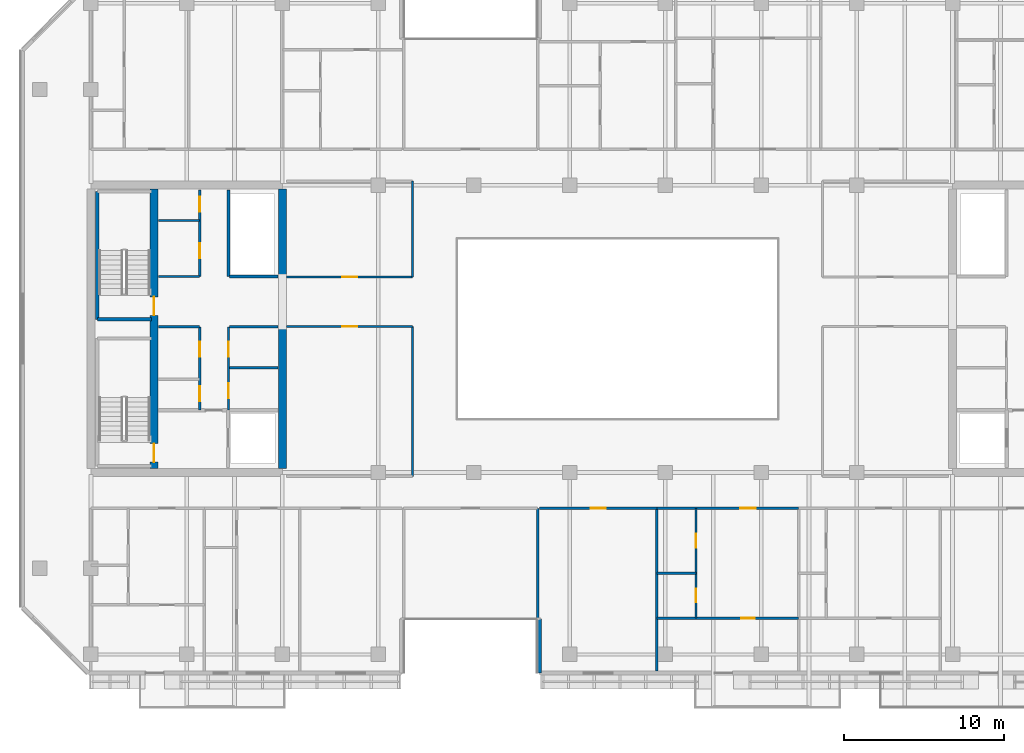
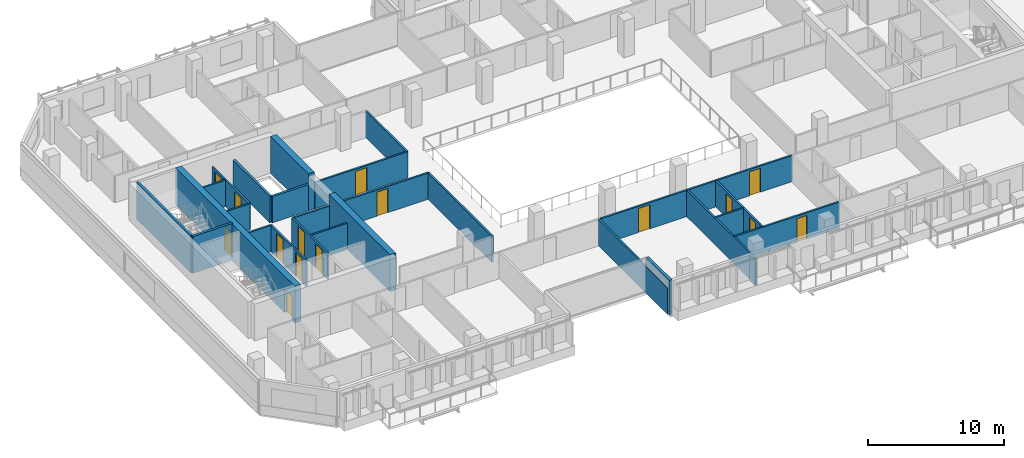
# One storey, part 10 of 20: 27 walls, 15 doors, 15 openings.
"""IFC4 building model written with IfcOpenShell, lengths in metres."""

from ifc_helpers import new_model, si_unit, direction, frame, frame_2d, origin, place, context, subcontext, project, spatial, rectangle, extrude, material, layer, layer_set, type_object, element, fill, save


model = new_model("IFC4")

# Units and contexts
model_context = context("Model", 3, precision=1e-05, world=origin(), true_north=direction((0.0, 1.0)))
body_context = subcontext(model_context, "Body", "Model", "MODEL_VIEW")
ifc_project = project(units=[si_unit("LENGTHUNIT", "METRE"), si_unit("AREAUNIT", "SQUARE_METRE"), si_unit("VOLUMEUNIT", "CUBIC_METRE"), si_unit("PLANEANGLEUNIT", "RADIAN"), si_unit("MASSUNIT", "GRAM", prefix="KILO")], contexts=[model_context])

# Site, building, storey
site_placement = place(None, origin())
site = spatial("IfcSite", under=ifc_project, at=site_placement, CompositionType="ELEMENT")
building_placement = place(site_placement, origin())
building = spatial("IfcBuilding", under=site, at=building_placement, Name="Tanjung Sevakor Pilgrim Tower", CompositionType="ELEMENT")
storey_placement = place(building_placement, frame((0.0, 0.0, 141.89990234375)))
storey = spatial("IfcBuildingStorey", under=building, at=storey_placement, Name="L39", CompositionType="ELEMENT", Elevation=141.89990234375)

# Walls
ifc_material_1 = material(Name="Concrete C60/75", Category="concrete")
ifc_layer_1 = layer(ifc_material_1, 0.5)
ifc_layer_set_1 = layer_set([ifc_layer_1], Name="WALL-CW-500")
wall_type_1 = type_object("IfcWallType", Name="WALL-CW-500", PredefinedType="SHEAR", material=ifc_layer_set_1)
wall_1_placement = place(storey_placement, frame((36.0, 24.85009765625, 0.0), z_axis=(0.0, 0.0, 1.0), x_axis=(0.0, 1.0, 0.0)))
element("IfcWall", 1, at=wall_1_placement, inside=storey, type_object=wall_type_1, Name="L39 W Core Inner Shear Wall South", PredefinedType="SHEAR", context=body_context, shape_type="SweptSolid", body=[
    extrude(rectangle(XDim=8.949951171875, YDim=0.5, at=frame_2d((4.47509765625, 0.0))), origin(), (0.0, 0.0, 1.0), 3.300048828125),
])
wall_2_placement = place(storey_placement, frame((36.0, 36.800048828125, 0.0), z_axis=(0.0, 0.0, 1.0), x_axis=(0.0, 1.0, 0.0)))
element("IfcWall", 2, at=wall_2_placement, inside=storey, type_object=wall_type_1, Name="L39 W Core Inner Shear Wall North", PredefinedType="SHEAR", context=body_context, shape_type="SweptSolid", body=[
    extrude(rectangle(XDim=5.550048828125, YDim=0.5, at=frame_2d((2.77490234375, 0.0))), origin(), (0.0, 0.0, 1.0), 3.300048828125),
])

# Wall, openings, doors
wall_3_placement = place(storey_placement, frame((27.949951171875, 24.85009765625, 0.0), z_axis=(0.0, 0.0, 1.0), x_axis=(0.0, 1.0, 0.0)))
wall_3 = element("IfcWall", 3, at=wall_3_placement, inside=storey, type_object=wall_type_1, Name="L39 W Core Stair Spine Wall", PredefinedType="SHEAR", context=body_context, shape_type="SweptSolid", body=[
    extrude(rectangle(XDim=17.5, YDim=0.5, at=frame_2d((8.75, 0.0))), origin(), (0.0, 0.0, 1.0), 3.300048828125),
])
opening_1_placement = place(wall_3_placement, frame((0.39990234375, 0.0, 0.0)))
opening_1 = element("IfcOpeningElement", 4, at=opening_1_placement, cuts=wall_3, Name="Opening ID-ST1", PredefinedType="OPENING", context=body_context, shape_type="SweptSolid", body=[
    extrude(rectangle(XDim=1.14990234375, YDim=2.14990234375, at=frame_2d((0.574951171875, 1.074951171875))), frame((0.0, 0.260009765625, 0.0), z_axis=(0.0, -1.0, 0.0), x_axis=(1.0, 0.0, 0.0)), (0.0, 0.0, 1.0), 0.52001953125),
])
opening_2_placement = place(wall_3_placement, frame((9.60009765625, 0.0, 0.0)))
opening_2 = element("IfcOpeningElement", 5, at=opening_2_placement, cuts=wall_3, Name="Opening ID-ST1", PredefinedType="OPENING", context=body_context, shape_type="SweptSolid", body=[
    extrude(rectangle(XDim=1.14990234375, YDim=2.14990234375, at=frame_2d((0.574951171875, 1.074951171875))), frame((0.0, 0.260009765625, 0.0), z_axis=(0.0, -1.0, 0.0), x_axis=(1.0, 0.0, 0.0)), (0.0, 0.0, 1.0), 0.52001953125),
])
ifc_material_2 = material(Name="Fire-Rated Steel S355J2", Category="steel")
door_type_1 = type_object("IfcDoorType", Name="DT-FIRE-1150", OperationType="NOTDEFINED", PredefinedType="DOOR", material=ifc_material_2)
door_1_placement = place(opening_1_placement, origin())
door_1 = element("IfcDoor", 6, at=door_1_placement, inside=storey, type_object=door_type_1, Name="L39 TS-W1 Stair Fire Door", OperationType="SINGLE_SWING_LEFT", OverallHeight=2.14990234375, OverallWidth=1.14990234375, PredefinedType="DOOR", context=body_context, shape_type="SweptSolid", body=[
    extrude(rectangle(XDim=1.14990234375, YDim=2.14990234375, at=frame_2d((0.574951171875, 1.074951171875))), frame((0.0, 0.02490234375, 0.0), z_axis=(0.0, -1.0, 0.0), x_axis=(1.0, 0.0, 0.0)), (0.0, 0.0, 1.0), 0.050048828125),
])
fill(opening_1, door_1)
door_2_placement = place(opening_2_placement, origin())
door_2 = element("IfcDoor", 7, at=door_2_placement, inside=storey, type_object=door_type_1, Name="L39 TS-W2 Stair Fire Door", OperationType="SINGLE_SWING_RIGHT", OverallHeight=2.14990234375, OverallWidth=1.14990234375, PredefinedType="DOOR", context=body_context, shape_type="SweptSolid", body=[
    extrude(rectangle(XDim=1.14990234375, YDim=2.14990234375, at=frame_2d((0.574951171875, 1.074951171875))), frame((0.0, 0.02490234375, 0.0), z_axis=(0.0, -1.0, 0.0), x_axis=(1.0, 0.0, 0.0)), (0.0, 0.0, 1.0), 0.050048828125),
])
fill(opening_2, door_2)

# Wall
ifc_material_3 = material(Name="Concrete C40/50", Category="concrete")
ifc_layer_2 = layer(ifc_material_3, 0.14990234375)
ifc_layer_set_2 = layer_set([ifc_layer_2], Name="WT-COMP-150")
wall_type_2 = type_object("IfcWallType", Name="WT-COMP-150", PredefinedType="SOLIDWALL", material=ifc_layer_set_2)
wall_4_placement = place(storey_placement, frame((28.219970703125, 33.719970703125, 0.0), z_axis=(0.0, 0.0, 1.0), x_axis=(1.0, 0.0, 0.0)))
element("IfcWall", 8, at=wall_4_placement, inside=storey, type_object=wall_type_2, Name="L39 Partition IW-L39-004", PredefinedType="SOLIDWALL", context=body_context, shape_type="SweptSolid", body=[
    extrude(rectangle(XDim=2.580078125, YDim=0.14990234375, at=frame_2d((1.2900390625, 0.0))), origin(), (0.0, 0.0, 1.0), 2.35009765625),
])

# Wall, openings, doors
wall_5_placement = place(storey_placement, frame((30.820068359375, 28.5, 0.0), z_axis=(0.0, 0.0, 1.0), x_axis=(0.0, 1.0, 0.0)))
wall_5 = element("IfcWall", 9, at=wall_5_placement, inside=storey, type_object=wall_type_2, Name="L39 Partition IW-L39-005", PredefinedType="SOLIDWALL", context=body_context, shape_type="SweptSolid", body=[
    extrude(rectangle(XDim=5.219970703125, YDim=0.14990234375, at=frame_2d((2.60986328125, 0.0))), origin(), (0.0, 0.0, 1.0), 2.35009765625),
])
opening_3_placement = place(wall_5_placement, frame((0.550048828125, 0.0, 0.0)))
opening_3 = element("IfcOpeningElement", 10, at=opening_3_placement, cuts=wall_5, Name="Opening ID-FD2", PredefinedType="OPENING", context=body_context, shape_type="SweptSolid", body=[
    extrude(rectangle(XDim=0.949951171875, YDim=2.14990234375, at=frame_2d((0.47509765625, 1.074951171875))), frame((0.0, 0.0849609375, 0.0), z_axis=(0.0, -1.0, 0.0), x_axis=(1.0, 0.0, 0.0)), (0.0, 0.0, 1.0), 0.169921875),
])
opening_4_placement = place(wall_5_placement, frame((3.35009765625, 0.0, 0.0)))
opening_4 = element("IfcOpeningElement", 11, at=opening_4_placement, cuts=wall_5, Name="Opening ID-FD2", PredefinedType="OPENING", context=body_context, shape_type="SweptSolid", body=[
    extrude(rectangle(XDim=0.949951171875, YDim=2.14990234375, at=frame_2d((0.47509765625, 1.074951171875))), frame((0.0, 0.0849609375, 0.0), z_axis=(0.0, -1.0, 0.0), x_axis=(1.0, 0.0, 0.0)), (0.0, 0.0, 1.0), 0.169921875),
])
ifc_material_4 = material(Name="Fire-Rated Timber", Category="wood")
door_type_2 = type_object("IfcDoorType", Name="DT-FIRE-950", OperationType="NOTDEFINED", PredefinedType="DOOR", material=ifc_material_4)
door_3_placement = place(opening_3_placement, origin())
door_3 = element("IfcDoor", 12, at=door_3_placement, inside=storey, type_object=door_type_2, Name="L39 Cleaner Store Door", OperationType="SINGLE_SWING_RIGHT", OverallHeight=2.14990234375, OverallWidth=0.949951171875, PredefinedType="DOOR", context=body_context, shape_type="SweptSolid", body=[
    extrude(rectangle(XDim=0.949951171875, YDim=2.14990234375, at=frame_2d((0.47509765625, 1.074951171875))), frame((0.0, 0.02490234375, 0.0), z_axis=(0.0, -1.0, 0.0), x_axis=(1.0, 0.0, 0.0)), (0.0, 0.0, 1.0), 0.050048828125),
])
fill(opening_3, door_3)
door_4_placement = place(opening_4_placement, origin())
door_4 = element("IfcDoor", 13, at=door_4_placement, inside=storey, type_object=door_type_2, Name="L39 Housekeeping Pantry Door", OperationType="SINGLE_SWING_LEFT", OverallHeight=2.14990234375, OverallWidth=0.949951171875, PredefinedType="DOOR", context=body_context, shape_type="SweptSolid", body=[
    extrude(rectangle(XDim=0.949951171875, YDim=2.14990234375, at=frame_2d((0.47509765625, 1.074951171875))), frame((0.0, 0.02490234375, 0.0), z_axis=(0.0, -1.0, 0.0), x_axis=(1.0, 0.0, 0.0)), (0.0, 0.0, 1.0), 0.050048828125),
])
fill(opening_4, door_4)

# Walls
for number, where, z_axis, x_axis, name in (
    (14, (32.679931640625, 31.14990234375, 0.0), (0.0, 0.0, 1.0), (1.0, 0.0, 0.0), "L39 Partition IW-L39-006"),
    (15, (32.679931640625, 33.719970703125, 0.0), (0.0, 0.0, 1.0), (1.0, 0.0, 0.0), "L39 Partition IW-L39-007"),
):
    element("IfcWall", number, at=place(storey_placement, frame(where, z_axis=z_axis, x_axis=x_axis)), inside=storey, type_object=wall_type_2, Name=name, PredefinedType="SOLIDWALL", context=body_context, shape_type="SweptSolid", body=[
        extrude(rectangle(XDim=3.050048828125, YDim=0.14990234375, at=frame_2d((1.52490234375, 0.0))), origin(), (0.0, 0.0, 1.0), 2.35009765625),
    ])

# Wall, openings, doors
wall_6_placement = place(storey_placement, frame((32.6201171875, 28.5, 0.0), z_axis=(0.0, 0.0, 1.0), x_axis=(0.0, 1.0, 0.0)))
wall_6 = element("IfcWall", 16, at=wall_6_placement, inside=storey, type_object=wall_type_2, Name="L39 Partition IW-L39-008", PredefinedType="SOLIDWALL", context=body_context, shape_type="SweptSolid", body=[
    extrude(rectangle(XDim=5.219970703125, YDim=0.14990234375, at=frame_2d((2.60986328125, 0.0))), origin(), (0.0, 0.0, 1.0), 2.35009765625),
])
opening_5_placement = place(wall_6_placement, frame((0.75, 0.0, 0.0)))
opening_5 = element("IfcOpeningElement", 17, at=opening_5_placement, cuts=wall_6, Name="Opening ID-FD2", PredefinedType="OPENING", context=body_context, shape_type="SweptSolid", body=[
    extrude(rectangle(XDim=0.949951171875, YDim=2.14990234375, at=frame_2d((0.47509765625, 1.074951171875))), frame((0.0, 0.0849609375, 0.0), z_axis=(0.0, -1.0, 0.0), x_axis=(1.0, 0.0, 0.0)), (0.0, 0.0, 1.0), 0.169921875),
])
opening_6_placement = place(wall_6_placement, frame((3.35009765625, 0.0, 0.0)))
opening_6 = element("IfcOpeningElement", 18, at=opening_6_placement, cuts=wall_6, Name="Opening ID-FD2", PredefinedType="OPENING", context=body_context, shape_type="SweptSolid", body=[
    extrude(rectangle(XDim=0.949951171875, YDim=2.14990234375, at=frame_2d((0.47509765625, 1.074951171875))), frame((0.0, 0.0849609375, 0.0), z_axis=(0.0, -1.0, 0.0), x_axis=(1.0, 0.0, 0.0)), (0.0, 0.0, 1.0), 0.169921875),
])
door_5_placement = place(opening_5_placement, origin())
door_5 = element("IfcDoor", 19, at=door_5_placement, inside=storey, type_object=door_type_2, Name="L39 Accessible WC Door", OperationType="SINGLE_SWING_RIGHT", OverallHeight=2.14990234375, OverallWidth=0.949951171875, PredefinedType="DOOR", context=body_context, shape_type="SweptSolid", body=[
    extrude(rectangle(XDim=0.949951171875, YDim=2.14990234375, at=frame_2d((0.47509765625, 1.074951171875))), frame((0.0, 0.02490234375, 0.0), z_axis=(0.0, -1.0, 0.0), x_axis=(1.0, 0.0, 0.0)), (0.0, 0.0, 1.0), 0.050048828125),
])
fill(opening_5, door_5)
door_6_placement = place(opening_6_placement, origin())
door_6 = element("IfcDoor", 20, at=door_6_placement, inside=storey, type_object=door_type_2, Name="L39 Core Service Door", OperationType="SINGLE_SWING_LEFT", OverallHeight=2.14990234375, OverallWidth=0.949951171875, PredefinedType="DOOR", context=body_context, shape_type="SweptSolid", body=[
    extrude(rectangle(XDim=0.949951171875, YDim=2.14990234375, at=frame_2d((0.47509765625, 1.074951171875))), frame((0.0, 0.02490234375, 0.0), z_axis=(0.0, -1.0, 0.0), x_axis=(1.0, 0.0, 0.0)), (0.0, 0.0, 1.0), 0.050048828125),
])
fill(opening_6, door_6)

# Walls
for number, where, z_axis, x_axis, name in (
    (21, (28.219970703125, 36.8798828125, 0.0), (0.0, 0.0, 1.0), (1.0, 0.0, 0.0), "L39 Partition IW-L39-009"),
    (22, (28.219970703125, 40.389892578125, 0.0), (0.0, 0.0, 1.0), (1.0, 0.0, 0.0), "L39 Partition IW-L39-010"),
):
    element("IfcWall", number, at=place(storey_placement, frame(where, z_axis=z_axis, x_axis=x_axis)), inside=storey, type_object=wall_type_2, Name=name, PredefinedType="SOLIDWALL", context=body_context, shape_type="SweptSolid", body=[
        extrude(rectangle(XDim=2.580078125, YDim=0.14990234375, at=frame_2d((1.2900390625, 0.0))), origin(), (0.0, 0.0, 1.0), 2.35009765625),
    ])

# Wall, openings, doors
wall_7_placement = place(storey_placement, frame((30.820068359375, 36.8798828125, 0.0), z_axis=(0.0, 0.0, 1.0), x_axis=(0.0, 1.0, 0.0)))
wall_7 = element("IfcWall", 23, at=wall_7_placement, inside=storey, type_object=wall_type_2, Name="L39 Partition IW-L39-011", PredefinedType="SOLIDWALL", context=body_context, shape_type="SweptSolid", body=[
    extrude(rectangle(XDim=5.420166015625, YDim=0.14990234375, at=frame_2d((2.7099609375, 0.0))), origin(), (0.0, 0.0, 1.0), 2.35009765625),
])
opening_7_placement = place(wall_7_placement, frame((1.14990234375, 0.0, 0.0)))
opening_7 = element("IfcOpeningElement", 24, at=opening_7_placement, cuts=wall_7, Name="Opening ID-FD2", PredefinedType="OPENING", context=body_context, shape_type="SweptSolid", body=[
    extrude(rectangle(XDim=0.949951171875, YDim=2.14990234375, at=frame_2d((0.47509765625, 1.074951171875))), frame((0.0, 0.0849609375, 0.0), z_axis=(0.0, -1.0, 0.0), x_axis=(1.0, 0.0, 0.0)), (0.0, 0.0, 1.0), 0.169921875),
])
opening_8_placement = place(wall_7_placement, frame((4.050048828125, 0.0, 0.0)))
opening_8 = element("IfcOpeningElement", 25, at=opening_8_placement, cuts=wall_7, Name="Opening ID-FD2", PredefinedType="OPENING", context=body_context, shape_type="SweptSolid", body=[
    extrude(rectangle(XDim=0.949951171875, YDim=2.14990234375, at=frame_2d((0.47509765625, 1.074951171875))), frame((0.0, 0.0849609375, 0.0), z_axis=(0.0, -1.0, 0.0), x_axis=(1.0, 0.0, 0.0)), (0.0, 0.0, 1.0), 0.169921875),
])
door_7_placement = place(opening_7_placement, origin())
door_7 = element("IfcDoor", 26, at=door_7_placement, inside=storey, type_object=door_type_2, Name="L39 Core Study Room Door", OperationType="SINGLE_SWING_RIGHT", OverallHeight=2.14990234375, OverallWidth=0.949951171875, PredefinedType="DOOR", context=body_context, shape_type="SweptSolid", body=[
    extrude(rectangle(XDim=0.949951171875, YDim=2.14990234375, at=frame_2d((0.47509765625, 1.074951171875))), frame((0.0, 0.02490234375, 0.0), z_axis=(0.0, -1.0, 0.0), x_axis=(1.0, 0.0, 0.0)), (0.0, 0.0, 1.0), 0.050048828125),
])
fill(opening_7, door_7)
door_8_placement = place(opening_8_placement, origin())
door_8 = element("IfcDoor", 27, at=door_8_placement, inside=storey, type_object=door_type_2, Name="L39 Service Store Door", OperationType="SINGLE_SWING_LEFT", OverallHeight=2.14990234375, OverallWidth=0.949951171875, PredefinedType="DOOR", context=body_context, shape_type="SweptSolid", body=[
    extrude(rectangle(XDim=0.949951171875, YDim=2.14990234375, at=frame_2d((0.47509765625, 1.074951171875))), frame((0.0, 0.02490234375, 0.0), z_axis=(0.0, -1.0, 0.0), x_axis=(1.0, 0.0, 0.0)), (0.0, 0.0, 1.0), 0.050048828125),
])
fill(opening_8, door_8)

# Wall, opening, door
wall_8_placement = place(storey_placement, frame((36.27001953125, 33.75, 0.0), z_axis=(0.0, 0.0, 1.0), x_axis=(1.0, 0.0, 0.0)))
wall_8 = element("IfcWall", 28, at=wall_8_placement, inside=storey, type_object=wall_type_2, Name="L39 Partition IW-L39-028", PredefinedType="SOLIDWALL", context=body_context, shape_type="SweptSolid", body=[
    extrude(rectangle(XDim=7.8798828125, YDim=0.14990234375, at=frame_2d((3.93994140625, 0.0))), origin(), (0.0, 0.0, 1.0), 2.35009765625),
])
opening_9_placement = place(wall_8_placement, frame((3.465087890625, 0.0, 0.0)))
opening_9 = element("IfcOpeningElement", 29, at=opening_9_placement, cuts=wall_8, Name="Opening ID-RM1", PredefinedType="OPENING", context=body_context, shape_type="SweptSolid", body=[
    extrude(rectangle(XDim=0.949951171875, YDim=2.14990234375, at=frame_2d((0.47509765625, 1.074951171875))), frame((0.0, 0.0849609375, 0.0), z_axis=(0.0, -1.0, 0.0), x_axis=(1.0, 0.0, 0.0)), (0.0, 0.0, 1.0), 0.169921875),
])
ifc_material_5 = material(Name="Hardwood Timber", Category="wood")
door_type_3 = type_object("IfcDoorType", Name="DT-INT-950", OperationType="NOTDEFINED", PredefinedType="DOOR", material=ifc_material_5)
door_9_placement = place(opening_9_placement, origin())
door_9 = element("IfcDoor", 30, at=door_9_placement, inside=storey, type_object=door_type_3, Name="L39 West Inboard South Door", OperationType="SINGLE_SWING_RIGHT", OverallHeight=2.14990234375, OverallWidth=0.949951171875, PredefinedType="DOOR", context=body_context, shape_type="SweptSolid", body=[
    extrude(rectangle(XDim=0.949951171875, YDim=2.14990234375, at=frame_2d((0.47509765625, 1.074951171875))), frame((0.0, 0.02490234375, 0.0), z_axis=(0.0, -1.0, 0.0), x_axis=(1.0, 0.0, 0.0)), (0.0, 0.0, 1.0), 0.050048828125),
])
fill(opening_9, door_9)

# Wall
wall_9_placement = place(storey_placement, frame((44.14990234375, 24.35009765625, 0.0), z_axis=(0.0, 0.0, 1.0), x_axis=(0.0, 1.0, 0.0)))
element("IfcWall", 31, at=wall_9_placement, inside=storey, type_object=wall_type_2, Name="L39 Partition IW-L39-029", PredefinedType="SOLIDWALL", context=body_context, shape_type="SweptSolid", body=[
    extrude(rectangle(XDim=9.39990234375, YDim=0.14990234375, at=frame_2d((4.699951171875, 0.0))), origin(), (0.0, 0.0, 1.0), 2.35009765625),
])

# Wall, opening, door
wall_10_placement = place(storey_placement, frame((36.27001953125, 36.85009765625, 0.0), z_axis=(0.0, 0.0, 1.0), x_axis=(1.0, 0.0, 0.0)))
wall_10 = element("IfcWall", 32, at=wall_10_placement, inside=storey, type_object=wall_type_2, Name="L39 Partition IW-L39-030", PredefinedType="SOLIDWALL", context=body_context, shape_type="SweptSolid", body=[
    extrude(rectangle(XDim=7.8798828125, YDim=0.14990234375, at=frame_2d((3.93994140625, 0.0))), origin(), (0.0, 0.0, 1.0), 2.35009765625),
])
opening_10_placement = place(wall_10_placement, frame((3.465087890625, 0.0, 0.0)))
opening_10 = element("IfcOpeningElement", 33, at=opening_10_placement, cuts=wall_10, Name="Opening ID-RM1", PredefinedType="OPENING", context=body_context, shape_type="SweptSolid", body=[
    extrude(rectangle(XDim=0.949951171875, YDim=2.14990234375, at=frame_2d((0.47509765625, 1.074951171875))), frame((0.0, 0.0849609375, 0.0), z_axis=(0.0, -1.0, 0.0), x_axis=(1.0, 0.0, 0.0)), (0.0, 0.0, 1.0), 0.169921875),
])
door_10_placement = place(opening_10_placement, origin())
door_10 = element("IfcDoor", 34, at=door_10_placement, inside=storey, type_object=door_type_3, Name="L39 West Inboard North Door", OperationType="SINGLE_SWING_LEFT", OverallHeight=2.14990234375, OverallWidth=0.949951171875, PredefinedType="DOOR", context=body_context, shape_type="SweptSolid", body=[
    extrude(rectangle(XDim=0.949951171875, YDim=2.14990234375, at=frame_2d((0.47509765625, 1.074951171875))), frame((0.0, 0.02490234375, 0.0), z_axis=(0.0, -1.0, 0.0), x_axis=(1.0, 0.0, 0.0)), (0.0, 0.0, 1.0), 0.050048828125),
])
fill(opening_10, door_10)

# Walls
wall_11_placement = place(storey_placement, frame((44.14990234375, 36.85009765625, 0.0), z_axis=(0.0, 0.0, 1.0), x_axis=(0.0, 1.0, 0.0)))
element("IfcWall", 35, at=wall_11_placement, inside=storey, type_object=wall_type_2, Name="L39 Partition IW-L39-032", PredefinedType="SOLIDWALL", context=body_context, shape_type="SweptSolid", body=[
    extrude(rectangle(XDim=6.0, YDim=0.14990234375, at=frame_2d((3.0, 0.0))), origin(), (0.0, 0.0, 1.0), 2.35009765625),
])
for number, where, z_axis, x_axis, name in (
    (36, (52.0, 12.14990234375, 0.0), (0.0, 0.0, 1.0), (0.0, 1.0, 0.0), "L39 Partition IW-L39-041"),
    (37, (59.46875, 12.14990234375, 0.0), (0.0, 0.0, 1.0), (0.0, 1.0, 0.0), "L39 Partition IW-L39-057"),
):
    element("IfcWall", number, at=place(storey_placement, frame(where, z_axis=z_axis, x_axis=x_axis)), inside=storey, type_object=wall_type_2, Name=name, PredefinedType="SOLIDWALL", context=body_context, shape_type="SweptSolid", body=[
        extrude(rectangle(XDim=10.2001953125, YDim=0.14990234375, at=frame_2d((5.10009765625, 0.0))), origin(), (0.0, 0.0, 1.0), 2.35009765625),
    ])

# Wall, opening, door
wall_12_placement = place(storey_placement, frame((52.1201171875, 22.35009765625, 0.0), z_axis=(0.0, 0.0, 1.0), x_axis=(1.0, 0.0, 0.0)))
wall_12 = element("IfcWall", 38, at=wall_12_placement, inside=storey, type_object=wall_type_2, Name="L39 Partition IW-L39-058", PredefinedType="SOLIDWALL", context=body_context, shape_type="SweptSolid", body=[
    extrude(rectangle(XDim=7.3486328125, YDim=0.14990234375, at=frame_2d((3.67431640625, 0.0))), origin(), (0.0, 0.0, 1.0), 2.35009765625),
])
opening_11_placement = place(wall_12_placement, frame((3.199462890625, 0.0, 0.0)))
opening_11 = element("IfcOpeningElement", 39, at=opening_11_placement, cuts=wall_12, Name="Opening ID-FD2", PredefinedType="OPENING", context=body_context, shape_type="SweptSolid", body=[
    extrude(rectangle(XDim=0.949951171875, YDim=2.14990234375, at=frame_2d((0.47509765625, 1.074951171875))), frame((0.0, 0.0849609375, 0.0), z_axis=(0.0, -1.0, 0.0), x_axis=(1.0, 0.0, 0.0)), (0.0, 0.0, 1.0), 0.169921875),
])
door_11_placement = place(opening_11_placement, origin())
door_11 = element("IfcDoor", 40, at=door_11_placement, inside=storey, type_object=door_type_2, Name="Housekeeping Pantry Door", OperationType="SINGLE_SWING_RIGHT", OverallHeight=2.14990234375, OverallWidth=0.949951171875, PredefinedType="DOOR", context=body_context, shape_type="SweptSolid", body=[
    extrude(rectangle(XDim=0.949951171875, YDim=2.14990234375, at=frame_2d((0.47509765625, 1.074951171875))), frame((0.0, 0.02490234375, 0.0), z_axis=(0.0, -1.0, 0.0), x_axis=(1.0, 0.0, 0.0)), (0.0, 0.0, 1.0), 0.050048828125),
])
fill(opening_11, door_11)

wall_13_placement = place(storey_placement, frame((59.46875, 22.35009765625, 0.0), z_axis=(0.0, 0.0, 1.0), x_axis=(1.0, 0.0, 0.0)))
wall_13 = element("IfcWall", 41, at=wall_13_placement, inside=storey, type_object=wall_type_2, Name="L39 Partition IW-L39-063", PredefinedType="SOLIDWALL", context=body_context, shape_type="SweptSolid", body=[
    extrude(rectangle(XDim=8.879638671875, YDim=0.14990234375, at=frame_2d((4.43994140625, 0.0))), origin(), (0.0, 0.0, 1.0), 2.35009765625),
])
opening_12_placement = place(wall_13_placement, frame((5.23046875, 0.0, 0.0)))
opening_12 = element("IfcOpeningElement", 42, at=opening_12_placement, cuts=wall_13, Name="Opening ID-FD2", PredefinedType="OPENING", context=body_context, shape_type="SweptSolid", body=[
    extrude(rectangle(XDim=0.949951171875, YDim=2.14990234375, at=frame_2d((0.47509765625, 1.074951171875))), frame((0.0, 0.0849609375, 0.0), z_axis=(0.0, -1.0, 0.0), x_axis=(1.0, 0.0, 0.0)), (0.0, 0.0, 1.0), 0.169921875),
])
door_12_placement = place(opening_12_placement, origin())
door_12 = element("IfcDoor", 43, at=door_12_placement, inside=storey, type_object=door_type_2, Name="Residence Entrance", OperationType="SINGLE_SWING_RIGHT", OverallHeight=2.14990234375, OverallWidth=0.949951171875, PredefinedType="DOOR", context=body_context, shape_type="SweptSolid", body=[
    extrude(rectangle(XDim=0.949951171875, YDim=2.14990234375, at=frame_2d((0.47509765625, 1.074951171875))), frame((0.0, 0.02490234375, 0.0), z_axis=(0.0, -1.0, 0.0), x_axis=(1.0, 0.0, 0.0)), (0.0, 0.0, 1.0), 0.050048828125),
])
fill(opening_12, door_12)

# Walls
ifc_material_6 = material(Name="Precast concrete C45/55", Category="concrete")
ifc_layer_3 = layer(ifc_material_6, 0.25)
ifc_layer_set_3 = layer_set([ifc_layer_3], Name="WT-EW-STN3")
wall_type_3 = type_object("IfcWallType", Name="WT-EW-STN3", PredefinedType="SOLIDWALL", material=ifc_layer_set_3)
wall_14_placement = place(storey_placement, frame((52.125, 15.425048828125, 0.0), z_axis=(0.0, 0.0, 1.0), x_axis=(0.0, -1.0, 0.0)))
element("IfcWall", 44, at=wall_14_placement, inside=storey, type_object=wall_type_3, Name="L39 MAIN Exterior Wall 4", PredefinedType="SOLIDWALL", context=body_context, shape_type="SweptSolid", body=[
    extrude(rectangle(XDim=3.400146484375, YDim=0.25, at=frame_2d((1.7001953125, 0.0))), origin(), (0.0, 0.0, 1.0), 3.080078125),
])
ifc_material_7 = material(Name="Concrete C40/50", Category="concrete")
ifc_layer_4 = layer(ifc_material_7, 0.199951171875)
ifc_layer_set_4 = layer_set([ifc_layer_4], Name="WT-FIRE-200")
wall_type_4 = type_object("IfcWallType", Name="WT-FIRE-200", PredefinedType="SOLIDWALL", material=ifc_layer_set_4)
wall_15_placement = place(storey_placement, frame((24.39990234375, 34.199951171875, 0.0), z_axis=(0.0, 0.0, 1.0), x_axis=(1.0, 0.0, 0.0)))
element("IfcWall", 45, at=wall_15_placement, inside=storey, type_object=wall_type_4, Name="L39 TS-W2 Shaft Wall 1", PredefinedType="SOLIDWALL", context=body_context, shape_type="SweptSolid", body=[
    extrude(rectangle(XDim=3.400146484375, YDim=0.199951171875, at=frame_2d((1.7001953125, 0.0))), origin(), (0.0, 0.0, 1.0), 3.300048828125),
])
wall_16_placement = place(storey_placement, frame((24.39990234375, 42.199951171875, 0.0), z_axis=(0.0, 0.0, 1.0), x_axis=(0.0, -1.0, 0.0)))
element("IfcWall", 46, at=wall_16_placement, inside=storey, type_object=wall_type_4, Name="L39 TS-W2 Shaft Wall 3", PredefinedType="SOLIDWALL", context=body_context, shape_type="SweptSolid", body=[
    extrude(rectangle(XDim=8.0, YDim=0.199951171875, at=frame_2d((4.0, 0.0))), origin(), (0.0, 0.0, 1.0), 3.300048828125),
])
ifc_material_8 = material(Name="Concrete C40/50", Category="concrete")
ifc_layer_5 = layer(ifc_material_8, 0.199951171875)
ifc_layer_set_5 = layer_set([ifc_layer_5], Name="WT-FPRT-200")
wall_type_5 = type_object("IfcWallType", Name="WT-FPRT-200", PredefinedType="SOLIDWALL", material=ifc_layer_set_5)
wall_17_placement = place(storey_placement, frame((32.679931640625, 36.8798828125, 0.0), z_axis=(0.0, 0.0, 1.0), x_axis=(1.0, 0.0, 0.0)))
element("IfcWall", 47, at=wall_17_placement, inside=storey, type_object=wall_type_5, Name="L39 Partition IW-L39-012", PredefinedType="SOLIDWALL", context=body_context, shape_type="SweptSolid", body=[
    extrude(rectangle(XDim=3.050048828125, YDim=0.199951171875, at=frame_2d((1.52490234375, 0.0))), origin(), (0.0, 0.0, 1.0), 2.35009765625),
])
wall_18_placement = place(storey_placement, frame((32.6201171875, 36.8798828125, 0.0), z_axis=(0.0, 0.0, 1.0), x_axis=(0.0, 1.0, 0.0)))
element("IfcWall", 48, at=wall_18_placement, inside=storey, type_object=wall_type_5, Name="L39 Partition IW-L39-013", PredefinedType="SOLIDWALL", context=body_context, shape_type="SweptSolid", body=[
    extrude(rectangle(XDim=5.420166015625, YDim=0.199951171875, at=frame_2d((2.7099609375, 0.0))), origin(), (0.0, 0.0, 1.0), 2.35009765625),
])
ifc_material_9 = material(Name="Gypsum Board Partition", Category="gypsum board")
ifc_layer_6 = layer(ifc_material_9, 0.14990234375)
ifc_layer_set_6 = layer_set([ifc_layer_6], Name="WT-PART-150")
wall_type_6 = type_object("IfcWallType", Name="WT-PART-150", PredefinedType="PARTITIONING", material=ifc_layer_set_6)
wall_19_placement = place(storey_placement, frame((59.46875, 18.2919921875, 0.0), z_axis=(0.0, 0.0, 1.0), x_axis=(1.0, 0.0, 0.0)))
element("IfcWall", 49, at=wall_19_placement, inside=storey, type_object=wall_type_6, Name="L39 Partition IW-L39-060", PredefinedType="PARTITIONING", context=body_context, shape_type="SweptSolid", body=[
    extrude(rectangle(XDim=2.451171875, YDim=0.14990234375, at=frame_2d((1.2255859375, 0.0))), origin(), (0.0, 0.0, 1.0), 2.35009765625),
])

# Wall, openings, doors
wall_20_placement = place(storey_placement, frame((61.919921875, 15.47216796875, 0.0), z_axis=(0.0, 0.0, 1.0), x_axis=(0.0, 1.0, 0.0)))
wall_20 = element("IfcWall", 50, at=wall_20_placement, inside=storey, type_object=wall_type_6, Name="L39 Partition IW-L39-061", PredefinedType="PARTITIONING", context=body_context, shape_type="SweptSolid", body=[
    extrude(rectangle(XDim=6.8779296875, YDim=0.14990234375, at=frame_2d((3.43896484375, 0.0))), origin(), (0.0, 0.0, 1.0), 2.35009765625),
])
opening_13_placement = place(wall_20_placement, frame((0.985107421875, 0.0, 0.0)))
opening_13 = element("IfcOpeningElement", 51, at=opening_13_placement, cuts=wall_20, Name="Opening ID-WC1", PredefinedType="OPENING", context=body_context, shape_type="SweptSolid", body=[
    extrude(rectangle(XDim=0.85009765625, YDim=2.10009765625, at=frame_2d((0.425048828125, 1.050048828125))), frame((0.0, 0.0849609375, 0.0), z_axis=(0.0, -1.0, 0.0), x_axis=(1.0, 0.0, 0.0)), (0.0, 0.0, 1.0), 0.169921875),
])
opening_14_placement = place(wall_20_placement, frame((4.423828125, 0.0, 0.0)))
opening_14 = element("IfcOpeningElement", 52, at=opening_14_placement, cuts=wall_20, Name="Opening ID-WC1", PredefinedType="OPENING", context=body_context, shape_type="SweptSolid", body=[
    extrude(rectangle(XDim=0.85009765625, YDim=2.10009765625, at=frame_2d((0.425048828125, 1.050048828125))), frame((0.0, 0.0849609375, 0.0), z_axis=(0.0, -1.0, 0.0), x_axis=(1.0, 0.0, 0.0)), (0.0, 0.0, 1.0), 0.169921875),
])
ifc_material_10 = material(Name="Moisture-Resistant Timber", Category="wood")
door_type_4 = type_object("IfcDoorType", Name="DT-INT-850", OperationType="NOTDEFINED", PredefinedType="DOOR", material=ifc_material_10)
door_13_placement = place(opening_13_placement, origin())
door_13 = element("IfcDoor", 53, at=door_13_placement, inside=storey, type_object=door_type_4, Name="Residence Bathroom Door", OperationType="SINGLE_SWING_LEFT", OverallHeight=2.10009765625, OverallWidth=0.85009765625, PredefinedType="DOOR", context=body_context, shape_type="SweptSolid", body=[
    extrude(rectangle(XDim=0.85009765625, YDim=2.10009765625, at=frame_2d((0.425048828125, 1.050048828125))), frame((0.0, 0.02490234375, 0.0), z_axis=(0.0, -1.0, 0.0), x_axis=(1.0, 0.0, 0.0)), (0.0, 0.0, 1.0), 0.050048828125),
])
fill(opening_13, door_13)
door_14_placement = place(opening_14_placement, origin())
door_14 = element("IfcDoor", 54, at=door_14_placement, inside=storey, type_object=door_type_4, Name="Residence Kitchenette Door", OperationType="SINGLE_SWING_RIGHT", OverallHeight=2.10009765625, OverallWidth=0.85009765625, PredefinedType="DOOR", context=body_context, shape_type="SweptSolid", body=[
    extrude(rectangle(XDim=0.85009765625, YDim=2.10009765625, at=frame_2d((0.425048828125, 1.050048828125))), frame((0.0, 0.02490234375, 0.0), z_axis=(0.0, -1.0, 0.0), x_axis=(1.0, 0.0, 0.0)), (0.0, 0.0, 1.0), 0.050048828125),
])
fill(opening_14, door_14)

# Wall, opening, door
wall_21_placement = place(storey_placement, frame((59.46875, 15.47216796875, 0.0), z_axis=(0.0, 0.0, 1.0), x_axis=(1.0, 0.0, 0.0)))
wall_21 = element("IfcWall", 55, at=wall_21_placement, inside=storey, type_object=wall_type_6, Name="L39 Partition IW-L39-062", PredefinedType="PARTITIONING", context=body_context, shape_type="SweptSolid", body=[
    extrude(rectangle(XDim=8.879638671875, YDim=0.14990234375, at=frame_2d((4.43994140625, 0.0))), origin(), (0.0, 0.0, 1.0), 2.35009765625),
])
opening_15_placement = place(wall_21_placement, frame((5.280517578125, 0.0, 0.0)))
opening_15 = element("IfcOpeningElement", 56, at=opening_15_placement, cuts=wall_21, Name="Opening ID-WC1", PredefinedType="OPENING", context=body_context, shape_type="SweptSolid", body=[
    extrude(rectangle(XDim=0.85009765625, YDim=2.10009765625, at=frame_2d((0.425048828125, 1.050048828125))), frame((0.0, 0.0849609375, 0.0), z_axis=(0.0, -1.0, 0.0), x_axis=(1.0, 0.0, 0.0)), (0.0, 0.0, 1.0), 0.169921875),
])
door_15_placement = place(opening_15_placement, origin())
door_15 = element("IfcDoor", 57, at=door_15_placement, inside=storey, type_object=door_type_4, Name="Residence Bedroom Door", OperationType="SINGLE_SWING_LEFT", OverallHeight=2.10009765625, OverallWidth=0.85009765625, PredefinedType="DOOR", context=body_context, shape_type="SweptSolid", body=[
    extrude(rectangle(XDim=0.85009765625, YDim=2.10009765625, at=frame_2d((0.425048828125, 1.050048828125))), frame((0.0, 0.02490234375, 0.0), z_axis=(0.0, -1.0, 0.0), x_axis=(1.0, 0.0, 0.0)), (0.0, 0.0, 1.0), 0.050048828125),
])
fill(opening_15, door_15)

save(model, "model.ifc")
